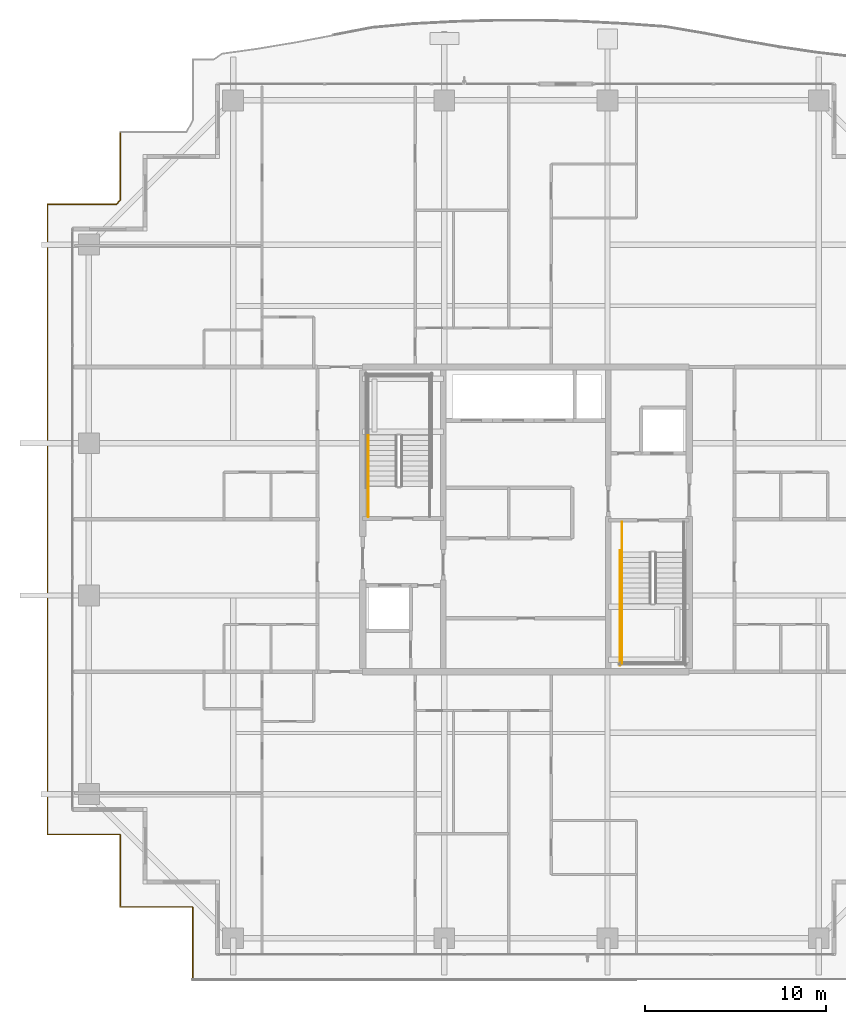
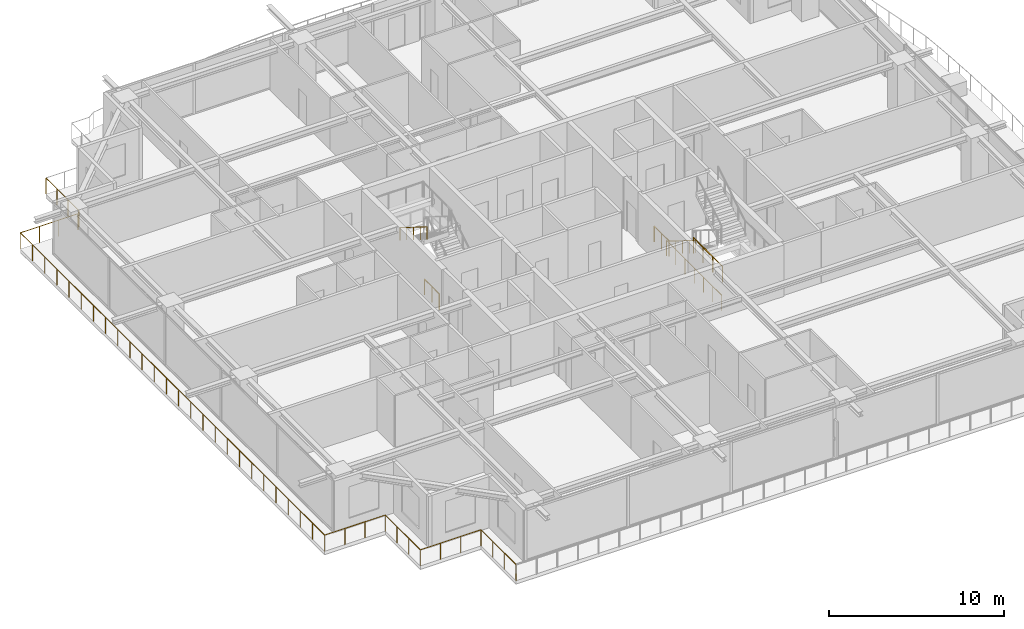
# One storey, part 34 of 38: 7 railings.
"""IFC4 building model written with IfcOpenShell, lengths in metres."""

import ifcopenshell
import ifcopenshell.guid

model = None  # the IFC model being written
_history = None  # IfcOwnerHistory: only IFC2X3 demands one
_inside = {}  # id of a spatial element -> (the spatial element, [elements in it])
_under = {}  # id of a project, library or spatial element -> (it, [spatial elements below it])
_declared = {}  # id of a project -> (the project, [libraries it declares])
_typed = {}  # id of a type object -> (the type object, [elements of that type])
_made_of = {}  # id of a material, layer set ... -> (it, [elements and type objects made of it])


def new_model(schema):
    """Start an empty IFC model of exactly this schema.

    Asked for "IFC4X3", IfcOpenShell would pick the latest addendum, in which some entities
    have other attributes; the version numbers below select the first issue.
    IFC2X3 requires an IfcOwnerHistory on every rooted entity: one is made here for all.
    """
    global model, _history
    if schema == "IFC4X3":
        model = ifcopenshell.file(schema_version=(4, 3, 0, 0))
    else:
        model = ifcopenshell.file(schema=schema)
    _inside.clear()
    _under.clear()
    _declared.clear()
    _typed.clear()
    _made_of.clear()
    _history = None
    if model.schema == "IFC2X3":
        org = make("IfcOrganization", Name="unknown")
        user = make(
            "IfcPersonAndOrganization",
            ThePerson=make("IfcPerson", FamilyName="unknown"),
            TheOrganization=org,
        )
        app = make(
            "IfcApplication",
            ApplicationDeveloper=org,
            Version="unknown",
            ApplicationFullName="unknown",
            ApplicationIdentifier="unknown",
        )
        _history = make(
            "IfcOwnerHistory",
            OwningUser=user,
            OwningApplication=app,
            ChangeAction="ADDED",
            CreationDate=0,
        )
    return model


def make(cls, **values):
    """One entity of the class cls with the attributes given. An attribute that is None is left unset."""
    return model.create_entity(
        cls, **{name: value for name, value in values.items() if value is not None}
    )


def rooted(cls, **values):
    """An entity with a GlobalId (a new one), such as an element, a storey or a relation."""
    return make(cls, GlobalId=ifcopenshell.guid.new(), OwnerHistory=_history, **values)


def si_unit(unit_type, name, prefix=None):
    """IfcSIUnit, for example si_unit("LENGTHUNIT", "METRE", prefix="MILLI")."""
    return make("IfcSIUnit", UnitType=unit_type, Prefix=prefix, Name=name)


def assignment(units):
    """IfcUnitAssignment: the units of a project."""
    return None if units is None else make("IfcUnitAssignment", Units=units)


def point(xyz):
    """IfcCartesianPoint."""
    return None if xyz is None else make("IfcCartesianPoint", Coordinates=xyz)


def direction(xyz):
    """IfcDirection."""
    return None if xyz is None else make("IfcDirection", DirectionRatios=xyz)


def frame(location, z_axis=None, x_axis=None):
    """IfcAxis2Placement3D, a coordinate frame: its origin and axes. An axis left out is left unset."""
    return make(
        "IfcAxis2Placement3D",
        Location=point(location),
        Axis=direction(z_axis),
        RefDirection=direction(x_axis),
    )


def frame_2d(location, x_axis=None):
    """IfcAxis2Placement2D, a coordinate frame in the plane: its origin and x axis."""
    return make(
        "IfcAxis2Placement2D", Location=point(location), RefDirection=direction(x_axis)
    )


def origin():
    """The frame at (0, 0, 0) with its axes left unset."""
    return frame((0.0, 0.0, 0.0))


def origin_2d():
    """The frame at (0, 0) in the plane with its x axis left unset."""
    return frame_2d((0.0, 0.0))


def place(relative_to, where):
    """IfcLocalPlacement: puts the frame where relative to a parent placement (None: the world)."""
    return make(
        "IfcLocalPlacement", PlacementRelTo=relative_to, RelativePlacement=where
    )


def context(
    kind, dimensions, precision=None, world=None, true_north=None, identifier=None
):
    """IfcGeometricRepresentationContext, for example the 3D "Model" context."""
    return make(
        "IfcGeometricRepresentationContext",
        ContextIdentifier=identifier,
        ContextType=kind,
        CoordinateSpaceDimension=dimensions,
        Precision=precision,
        WorldCoordinateSystem=world,
        TrueNorth=true_north,
    )


def subcontext(parent, identifier, kind, view, scale=None):
    """IfcGeometricRepresentationSubContext, for example "Body" below "Model"."""
    return make(
        "IfcGeometricRepresentationSubContext",
        ContextIdentifier=identifier,
        ContextType=kind,
        ParentContext=parent,
        TargetScale=scale,
        TargetView=view,
    )


def project(units=None, contexts=None):
    """IfcProject with its units and contexts."""
    return rooted(
        "IfcProject",
        Name="project",
        RepresentationContexts=contexts,
        UnitsInContext=assignment(units),
    )


def spatial(cls, under=None, at=None, **own):
    """A site, building, storey or space (cls), placed at a placement, below another one or the project."""
    s = rooted(cls, ObjectPlacement=at, **own)
    if under is not None:
        _under.setdefault(under.id(), (under, []))[1].append(s)
    return s


def profile(cls, at=None, kind="AREA", **sizes):
    """A parametric profile (cls). Its sizes go by their IFC names, for example OverallWidth=200.0."""
    return make(cls, ProfileType=kind, Position=at, **sizes)


def circle(**sizes):
    """IfcCircleProfileDef."""
    return profile("IfcCircleProfileDef", **sizes)


def extrude(swept, where, along, depth):
    """IfcExtrudedAreaSolid: the profile swept, set in the frame where, extruded along a direction by depth."""
    return make(
        "IfcExtrudedAreaSolid",
        SweptArea=swept,
        Position=where,
        ExtrudedDirection=direction(along),
        Depth=depth,
    )


def shape(context_of_items, identifier, shape_type, items):
    """IfcShapeRepresentation: the items that make up one representation, for example the "Body"."""
    return make(
        "IfcShapeRepresentation",
        ContextOfItems=context_of_items,
        RepresentationIdentifier=identifier,
        RepresentationType=shape_type,
        Items=items,
    )


def material(Name=None, Category=None):
    """IfcMaterial."""
    return make("IfcMaterial", Name=Name, Category=Category)


def made_of(thing, what):
    """Note that an element or type object is made of a material, layer set ...; save() writes the relation."""
    if what is not None:
        _made_of.setdefault(what.id(), (what, []))[1].append(thing)
    return thing


def type_object(cls, material=None, **own):
    """A type object (cls), such as IfcWallType, which elements share."""
    return made_of(rooted(cls, **own), material)


def element(
    cls,
    number,
    at=None,
    inside=None,
    cuts=None,
    type_object=None,
    material=None,
    context=None,
    identifier="Body",
    shape_type=None,
    held_by="IfcProductDefinitionShape",
    body=None,
    shapes=None,
    **own,
):
    """One element of the class cls, such as IfcWall. Its Tag is "e" and its number.

    at: its placement. inside: the storey or other place that contains it. cuts: it is an
    opening in that element (IfcRelVoidsElement). A single representation is given by context,
    identifier, shape_type and body (its items); several are given by shapes. held_by: the class
    of the entity that holds the representations. save() writes the other relations.
    """
    e = rooted(cls, Tag="e%d" % number, ObjectPlacement=at, **own)
    if body is not None:
        shapes = [shape(context, identifier, shape_type, body)]
    if shapes is not None:
        e.Representation = make(held_by, Representations=shapes)
    if inside is not None:
        _inside.setdefault(inside.id(), (inside, []))[1].append(e)
    if cuts is not None:
        rooted(
            "IfcRelVoidsElement", RelatingBuildingElement=cuts, RelatedOpeningElement=e
        )
    if type_object is not None:
        _typed.setdefault(type_object.id(), (type_object, []))[1].append(e)
    return made_of(e, material)


def aggregate(whole, parts):
    """IfcRelAggregates: a whole, such as a stair, and the parts it consists of."""
    return rooted("IfcRelAggregates", RelatingObject=whole, RelatedObjects=parts)


def save(model, path):
    """Write the relations noted so far, then the file.

    IfcRelAggregates (storeys below a building ...), IfcRelContainedInSpatialStructure (elements
    in a storey), IfcRelDefinesByType, IfcRelAssociatesMaterial and IfcRelDeclares: one each for
    every whole, place, type object, material and project.
    """
    for whole, parts in _under.values():
        aggregate(whole, parts)
    for where, things in _inside.values():
        rooted(
            "IfcRelContainedInSpatialStructure",
            RelatedElements=things,
            RelatingStructure=where,
        )
    for kind, things in _typed.values():
        rooted("IfcRelDefinesByType", RelatedObjects=things, RelatingType=kind)
    for what, things in _made_of.values():
        rooted("IfcRelAssociatesMaterial", RelatedObjects=things, RelatingMaterial=what)
    for by, libraries in _declared.values():
        rooted("IfcRelDeclares", RelatingContext=by, RelatedDefinitions=libraries)
    model.write(path)


model = new_model("IFC4")

# Units and contexts
model_context = context("Model", 3, precision=1e-05, world=origin(), true_north=direction((0.0, 1.0)))
body_context = subcontext(model_context, "Body", "Model", "MODEL_VIEW")
ifc_project = project(units=[si_unit("LENGTHUNIT", "METRE"), si_unit("AREAUNIT", "SQUARE_METRE"), si_unit("VOLUMEUNIT", "CUBIC_METRE"), si_unit("PLANEANGLEUNIT", "RADIAN"), si_unit("MASSUNIT", "GRAM", prefix="KILO")], contexts=[model_context])

# Site, building, storey
site_placement = place(None, origin())
site = spatial("IfcSite", under=ifc_project, at=site_placement, CompositionType="ELEMENT")
building_placement = place(site_placement, origin())
building = spatial("IfcBuilding", under=site, at=building_placement, Name="Serunith Strait Residences", CompositionType="ELEMENT")
storey_placement = place(building_placement, frame((0.0, 0.0, 264.35009765625)))
storey = spatial("IfcBuildingStorey", under=building, at=storey_placement, Name="L66", CompositionType="ELEMENT", Elevation=264.35009765625)

# Railings
ifc_material_1 = material(Name="Stainless Steel & Laminated Glass Balustrade", Category="steel")
railing_type_1 = type_object("IfcRailingType", Name="RLG-BALC-1150", PredefinedType="BALUSTRADE", material=ifc_material_1)
railing_1_placement = place(storey_placement, frame((14.02001953125, -0.179931640625, -0.050048828125)))
element("IfcRailing", 1, at=railing_1_placement, inside=storey, type_object=railing_type_1, Name="L66 Swirling Balcony Perimeter Balustrade 8", PredefinedType="BALUSTRADE", context=body_context, shape_type="SweptSolid", body=[
    extrude(circle(Radius=0.02392578125, at=origin_2d()), frame((0.0, 0.001953125, 1.1259765625), z_axis=(0.0, 1.0, 0.0), x_axis=(-1.0, 0.0, 0.0)), (0.0, 0.0, 1.0), 3.99609375),
    extrude(circle(Radius=0.02392578125, at=origin_2d()), frame((-0.001953125, 4.0, 1.1259765625), z_axis=(-1.0, 0.0, 0.0), x_axis=(0.0, -1.0, 0.0)), (0.0, 0.0, 1.0), 3.99609375),
    extrude(circle(Radius=0.02392578125, at=origin_2d()), frame((-4.0, 4.001953125, 1.1259765625), z_axis=(0.0, 1.0, 0.0), x_axis=(-1.0, 0.0, 0.0)), (0.0, 0.0, 1.0), 3.99609375),
    extrude(circle(Radius=0.02392578125, at=origin_2d()), frame((-4.001953125, 8.0, 1.1259765625), z_axis=(-1.0, 0.0, 0.0), x_axis=(0.0, -1.0, 0.0)), (0.0, 0.0, 1.0), 3.99609375),
    extrude(circle(Radius=0.02392578125, at=origin_2d()), frame((-8.0, 8.001953125, 1.1259765625), z_axis=(0.0, 1.0, 0.0), x_axis=(-1.0, 0.0, 0.0)), (0.0, 0.0, 1.0), 34.756103515625),
    extrude(circle(Radius=0.02392578125, at=origin_2d()), frame((-7.998046875, 42.760009765625, 1.1259765625), z_axis=(1.0, 0.0, 0.0), x_axis=(0.0, 1.0, 0.0)), (0.0, 0.0, 1.0), 3.801025390625),
    extrude(circle(Radius=0.02392578125, at=origin_2d()), frame((-4.19384765625, 42.761474609375, 1.1259765625), z_axis=(0.660199372359, 0.751090399843, 0.0), x_axis=(-0.751090399843, 0.660199372359, 0.0)), (0.0, 0.0, 1.0), 0.29150390625),
    extrude(circle(Radius=0.02392578125, at=origin_2d()), frame((-4.0, 42.98388671875, 1.1259765625), z_axis=(0.0, 1.0, 0.0), x_axis=(-1.0, 0.0, 0.0)), (0.0, 0.0, 1.0), 3.774169921875),
    extrude(circle(Radius=0.02099609375, at=origin_2d()), origin(), (0.0, 0.0, 1.0), 1.099853515625),
    extrude(circle(Radius=0.02099609375, at=origin_2d()), frame((0.0, 1.333251953125, 0.0)), (0.0, 0.0, 1.0), 1.099853515625),
    extrude(circle(Radius=0.02099609375, at=origin_2d()), frame((0.0, 2.666748046875, 0.0)), (0.0, 0.0, 1.0), 1.099853515625),
    extrude(circle(Radius=0.02099609375, at=origin_2d()), frame((0.0, 4.0, 0.0)), (0.0, 0.0, 1.0), 1.099853515625),
    extrude(circle(Radius=0.02099609375, at=origin_2d()), frame((-1.333251953125, 4.0, 0.0)), (0.0, 0.0, 1.0), 1.099853515625),
    extrude(circle(Radius=0.02099609375, at=origin_2d()), frame((-2.666748046875, 4.0, 0.0)), (0.0, 0.0, 1.0), 1.099853515625),
    extrude(circle(Radius=0.02099609375, at=origin_2d()), frame((-4.0, 4.0, 0.0)), (0.0, 0.0, 1.0), 1.099853515625),
    extrude(circle(Radius=0.02099609375, at=origin_2d()), frame((-4.0, 5.333251953125, 0.0)), (0.0, 0.0, 1.0), 1.099853515625),
    extrude(circle(Radius=0.02099609375, at=origin_2d()), frame((-4.0, 6.666748046875, 0.0)), (0.0, 0.0, 1.0), 1.099853515625),
    extrude(circle(Radius=0.02099609375, at=origin_2d()), frame((-4.0, 8.0, 0.0)), (0.0, 0.0, 1.0), 1.099853515625),
    extrude(circle(Radius=0.02099609375, at=origin_2d()), frame((-5.333251953125, 8.0, 0.0)), (0.0, 0.0, 1.0), 1.099853515625),
    extrude(circle(Radius=0.02099609375, at=origin_2d()), frame((-6.666748046875, 8.0, 0.0)), (0.0, 0.0, 1.0), 1.099853515625),
    extrude(circle(Radius=0.02099609375, at=origin_2d()), frame((-8.0, 8.0, 0.0)), (0.0, 0.0, 1.0), 1.099853515625),
    extrude(circle(Radius=0.02099609375, at=origin_2d()), frame((-8.0, 9.390380859375, 0.0)), (0.0, 0.0, 1.0), 1.099853515625),
    extrude(circle(Radius=0.02099609375, at=origin_2d()), frame((-8.0, 10.78076171875, 0.0)), (0.0, 0.0, 1.0), 1.099853515625),
    extrude(circle(Radius=0.02099609375, at=origin_2d()), frame((-8.0, 12.171142578125, 0.0)), (0.0, 0.0, 1.0), 1.099853515625),
    extrude(circle(Radius=0.02099609375, at=origin_2d()), frame((-8.0, 13.5615234375, 0.0)), (0.0, 0.0, 1.0), 1.099853515625),
    extrude(circle(Radius=0.02099609375, at=origin_2d()), frame((-8.0, 14.951904296875, 0.0)), (0.0, 0.0, 1.0), 1.099853515625),
    extrude(circle(Radius=0.02099609375, at=origin_2d()), frame((-8.0, 16.34228515625, 0.0)), (0.0, 0.0, 1.0), 1.099853515625),
    extrude(circle(Radius=0.02099609375, at=origin_2d()), frame((-8.0, 17.73291015625, 0.0)), (0.0, 0.0, 1.0), 1.099853515625),
    extrude(circle(Radius=0.02099609375, at=origin_2d()), frame((-8.0, 19.123291015625, 0.0)), (0.0, 0.0, 1.0), 1.099853515625),
    extrude(circle(Radius=0.02099609375, at=origin_2d()), frame((-8.0, 20.513671875, 0.0)), (0.0, 0.0, 1.0), 1.099853515625),
    extrude(circle(Radius=0.02099609375, at=origin_2d()), frame((-8.0, 21.904052734375, 0.0)), (0.0, 0.0, 1.0), 1.099853515625),
    extrude(circle(Radius=0.02099609375, at=origin_2d()), frame((-8.0, 23.29443359375, 0.0)), (0.0, 0.0, 1.0), 1.099853515625),
    extrude(circle(Radius=0.02099609375, at=origin_2d()), frame((-8.0, 24.684814453125, 0.0)), (0.0, 0.0, 1.0), 1.099853515625),
    extrude(circle(Radius=0.02099609375, at=origin_2d()), frame((-8.0, 26.0751953125, 0.0)), (0.0, 0.0, 1.0), 1.099853515625),
    extrude(circle(Radius=0.02099609375, at=origin_2d()), frame((-8.0, 27.465576171875, 0.0)), (0.0, 0.0, 1.0), 1.099853515625),
    extrude(circle(Radius=0.02099609375, at=origin_2d()), frame((-8.0, 28.85595703125, 0.0)), (0.0, 0.0, 1.0), 1.099853515625),
    extrude(circle(Radius=0.02099609375, at=origin_2d()), frame((-8.0, 30.246337890625, 0.0)), (0.0, 0.0, 1.0), 1.099853515625),
    extrude(circle(Radius=0.02099609375, at=origin_2d()), frame((-8.0, 31.63671875, 0.0)), (0.0, 0.0, 1.0), 1.099853515625),
    extrude(circle(Radius=0.02099609375, at=origin_2d()), frame((-8.0, 33.027099609375, 0.0)), (0.0, 0.0, 1.0), 1.099853515625),
    extrude(circle(Radius=0.02099609375, at=origin_2d()), frame((-8.0, 34.417724609375, 0.0)), (0.0, 0.0, 1.0), 1.099853515625),
    extrude(circle(Radius=0.02099609375, at=origin_2d()), frame((-8.0, 35.80810546875, 0.0)), (0.0, 0.0, 1.0), 1.099853515625),
    extrude(circle(Radius=0.02099609375, at=origin_2d()), frame((-8.0, 37.198486328125, 0.0)), (0.0, 0.0, 1.0), 1.099853515625),
    extrude(circle(Radius=0.02099609375, at=origin_2d()), frame((-8.0, 38.5888671875, 0.0)), (0.0, 0.0, 1.0), 1.099853515625),
    extrude(circle(Radius=0.02099609375, at=origin_2d()), frame((-8.0, 39.979248046875, 0.0)), (0.0, 0.0, 1.0), 1.099853515625),
    extrude(circle(Radius=0.02099609375, at=origin_2d()), frame((-8.0, 41.36962890625, 0.0)), (0.0, 0.0, 1.0), 1.099853515625),
    extrude(circle(Radius=0.02099609375, at=origin_2d()), frame((-8.0, 42.760009765625, 0.0)), (0.0, 0.0, 1.0), 1.099853515625),
    extrude(circle(Radius=0.02099609375, at=origin_2d()), frame((-6.731689453125, 42.760009765625, 0.0)), (0.0, 0.0, 1.0), 1.099853515625),
    extrude(circle(Radius=0.02099609375, at=origin_2d()), frame((-5.46337890625, 42.760009765625, 0.0)), (0.0, 0.0, 1.0), 1.099853515625),
    extrude(circle(Radius=0.02099609375, at=origin_2d()), frame((-4.195068359375, 42.760009765625, 0.0)), (0.0, 0.0, 1.0), 1.099853515625),
    extrude(circle(Radius=0.02099609375, at=origin_2d()), frame((-4.0, 42.98193359375, 0.0)), (0.0, 0.0, 1.0), 1.099853515625),
    extrude(circle(Radius=0.02099609375, at=origin_2d()), frame((-4.0, 44.2412109375, 0.0)), (0.0, 0.0, 1.0), 1.099853515625),
    extrude(circle(Radius=0.02099609375, at=origin_2d()), frame((-4.0, 45.500732421875, 0.0)), (0.0, 0.0, 1.0), 1.099853515625),
    extrude(circle(Radius=0.02099609375, at=origin_2d()), frame((-4.0, 46.760009765625, 0.0)), (0.0, 0.0, 1.0), 1.099853515625),
])
ifc_material_2 = material(Name="Brushed stainless steel 316L", Category="steel")
railing_type_2 = type_object("IfcRailingType", Name="RLG-STAIR-GUARD", PredefinedType="BALUSTRADE", material=ifc_material_2)
railing_2_placement = place(storey_placement, frame((23.699951171875, 25.35009765625, 0.0)))
element("IfcRailing", 2, at=railing_2_placement, inside=storey, type_object=railing_type_2, Name="L66 ST-1 stair guard 9", PredefinedType="BALUSTRADE", context=body_context, shape_type="SweptSolid", body=[
    extrude(circle(Radius=0.02392578125, at=origin_2d()), frame((0.0, 0.001953125, 1.076171875), z_axis=(0.0, 1.0, 0.0), x_axis=(-1.0, 0.0, 0.0)), (0.0, 0.0, 1.0), 1.676025390625),
    extrude(circle(Radius=0.02099609375, at=origin_2d()), origin(), (0.0, 0.0, 1.0), 1.050048828125),
    extrude(circle(Radius=0.02099609375, at=origin_2d()), frame((0.0, 0.83984375, 0.0)), (0.0, 0.0, 1.0), 1.050048828125),
    extrude(circle(Radius=0.02099609375, at=origin_2d()), frame((0.0, 1.679931640625, 0.0)), (0.0, 0.0, 1.0), 1.050048828125),
])
railing_3_placement = place(storey_placement, frame((37.699951171875, 20.570068359375, 1.9248046875)))
element("IfcRailing", 3, at=railing_3_placement, inside=storey, type_object=railing_type_2, Name="L66 ST-2 stair guard 3", PredefinedType="BALUSTRADE", context=body_context, shape_type="SweptSolid", body=[
    extrude(circle(Radius=0.02392578125, at=origin_2d()), frame((0.0, -0.001953125, 1.076171875), z_axis=(0.0, -1.0, 0.0), x_axis=(1.0, 0.0, 0.0)), (0.0, 0.0, 1.0), 3.316162109375),
    extrude(circle(Radius=0.02099609375, at=origin_2d()), origin(), (0.0, 0.0, 1.0), 1.050048828125),
    extrude(circle(Radius=0.02099609375, at=origin_2d()), frame((0.0, -1.106689453125, 0.0)), (0.0, 0.0, 1.0), 1.050048828125),
    extrude(circle(Radius=0.02099609375, at=origin_2d()), frame((0.0, -2.21337890625, 0.0)), (0.0, 0.0, 1.0), 1.050048828125),
    extrude(circle(Radius=0.02099609375, at=origin_2d()), frame((0.0, -3.320068359375, 0.0)), (0.0, 0.0, 1.0), 1.050048828125),
])
railing_4_placement = place(storey_placement, frame((37.699951171875, 25.050048828125, 0.0)))
element("IfcRailing", 4, at=railing_4_placement, inside=storey, type_object=railing_type_2, Name="L66 ST-2 stair guard 8", PredefinedType="BALUSTRADE", context=body_context, shape_type="SweptSolid", body=[
    extrude(circle(Radius=0.02392578125, at=origin_2d()), frame((0.0, -0.001953125, 1.076171875), z_axis=(0.0, -1.0, 0.0), x_axis=(1.0, 0.0, 0.0)), (0.0, 0.0, 1.0), 1.676025390625),
    extrude(circle(Radius=0.02099609375, at=origin_2d()), origin(), (0.0, 0.0, 1.0), 1.050048828125),
    extrude(circle(Radius=0.02099609375, at=origin_2d()), frame((0.0, -0.83984375, 0.0)), (0.0, 0.0, 1.0), 1.050048828125),
    extrude(circle(Radius=0.02099609375, at=origin_2d()), frame((0.0, -1.679931640625, 0.0)), (0.0, 0.0, 1.0), 1.050048828125),
])
railing_5_placement = place(storey_placement, frame((37.60009765625, 23.469970703125, 0.0)))
element("IfcRailing", 5, at=railing_5_placement, inside=storey, type_object=railing_type_2, Name="L66 ST-2 stair guard 10", PredefinedType="BALUSTRADE", context=body_context, shape_type="SweptSolid", body=[
    extrude(circle(Radius=0.02392578125, at=origin_2d()), frame((0.0, -0.001953125, 1.076171875), z_axis=(0.0, -1.0, 0.0), x_axis=(1.0, 0.0, 0.0)), (0.0, 0.0, 1.0), 6.316162109375),
    extrude(circle(Radius=0.02099609375, at=origin_2d()), origin(), (0.0, 0.0, 1.0), 1.050048828125),
    extrude(circle(Radius=0.02099609375, at=origin_2d()), frame((0.0, -1.05322265625, 0.0)), (0.0, 0.0, 1.0), 1.050048828125),
    extrude(circle(Radius=0.02099609375, at=origin_2d()), frame((0.0, -2.106689453125, 0.0)), (0.0, 0.0, 1.0), 1.050048828125),
    extrude(circle(Radius=0.02099609375, at=origin_2d()), frame((0.0, -3.16015625, 0.0)), (0.0, 0.0, 1.0), 1.050048828125),
    extrude(circle(Radius=0.02099609375, at=origin_2d()), frame((0.0, -4.21337890625, 0.0)), (0.0, 0.0, 1.0), 1.050048828125),
    extrude(circle(Radius=0.02099609375, at=origin_2d()), frame((0.0, -5.2666015625, 0.0)), (0.0, 0.0, 1.0), 1.050048828125),
    extrude(circle(Radius=0.02099609375, at=origin_2d()), frame((0.0, -6.320068359375, 0.0)), (0.0, 0.0, 1.0), 1.050048828125),
])
railing_type_3 = type_object("IfcRailingType", Name="RLG-STAIR-HR", PredefinedType="HANDRAIL", material=ifc_material_2)
railing_6_placement = place(storey_placement, frame((23.699951171875, 29.830078125, 2.099853515625)))
element("IfcRailing", 6, at=railing_6_placement, inside=storey, type_object=railing_type_3, Name="L66 ST-1 stair handrail 2", PredefinedType="HANDRAIL", context=body_context, shape_type="SweptSolid", body=[
    extrude(circle(Radius=0.02392578125, at=origin_2d()), frame((0.0, -0.001708984375, 0.876953125), z_axis=(0.0, -0.847393994688, 0.530964610654), x_axis=(1.0, 0.0, 0.0)), (0.0, 0.0, 1.0), 3.630859375),
    extrude(circle(Radius=0.02099609375, at=origin_2d()), origin(), (0.0, 0.0, 1.0), 0.849853515625),
    extrude(circle(Radius=0.02099609375, at=origin_2d()), frame((0.0, -0.77001953125, 0.482421875)), (0.0, 0.0, 1.0), 0.849853515625),
    extrude(circle(Radius=0.02099609375, at=origin_2d()), frame((0.0, -1.5400390625, 0.96484375)), (0.0, 0.0, 1.0), 0.849853515625),
    extrude(circle(Radius=0.02099609375, at=origin_2d()), frame((0.0, -2.31005859375, 1.447509765625)), (0.0, 0.0, 1.0), 0.849853515625),
    extrude(circle(Radius=0.02099609375, at=origin_2d()), frame((0.0, -3.080078125, 1.929931640625)), (0.0, 0.0, 1.0), 0.849853515625),
])
railing_7_placement = place(storey_placement, frame((37.699951171875, 23.3701171875, 0.1748046875)))
element("IfcRailing", 7, at=railing_7_placement, inside=storey, type_object=railing_type_3, Name="L66 ST-2 stair handrail 1", PredefinedType="HANDRAIL", context=body_context, shape_type="SweptSolid", body=[
    extrude(circle(Radius=0.02392578125, at=origin_2d()), frame((0.0, -0.001708984375, 0.876953125), z_axis=(0.0, -0.847363772988, 0.531012839984), x_axis=(1.0, 0.0, 0.0)), (0.0, 0.0, 1.0), 3.630859375),
    extrude(circle(Radius=0.02099609375, at=origin_2d()), origin(), (0.0, 0.0, 1.0), 0.849853515625),
    extrude(circle(Radius=0.02099609375, at=origin_2d()), frame((0.0, -0.77001953125, 0.482421875)), (0.0, 0.0, 1.0), 0.849853515625),
    extrude(circle(Radius=0.02099609375, at=origin_2d()), frame((0.0, -1.5400390625, 0.965087890625)), (0.0, 0.0, 1.0), 0.849853515625),
    extrude(circle(Radius=0.02099609375, at=origin_2d()), frame((0.0, -2.31005859375, 1.44775390625)), (0.0, 0.0, 1.0), 0.849853515625),
    extrude(circle(Radius=0.02099609375, at=origin_2d()), frame((0.0, -3.080078125, 1.93017578125)), (0.0, 0.0, 1.0), 0.849853515625),
])

save(model, "model.ifc")
